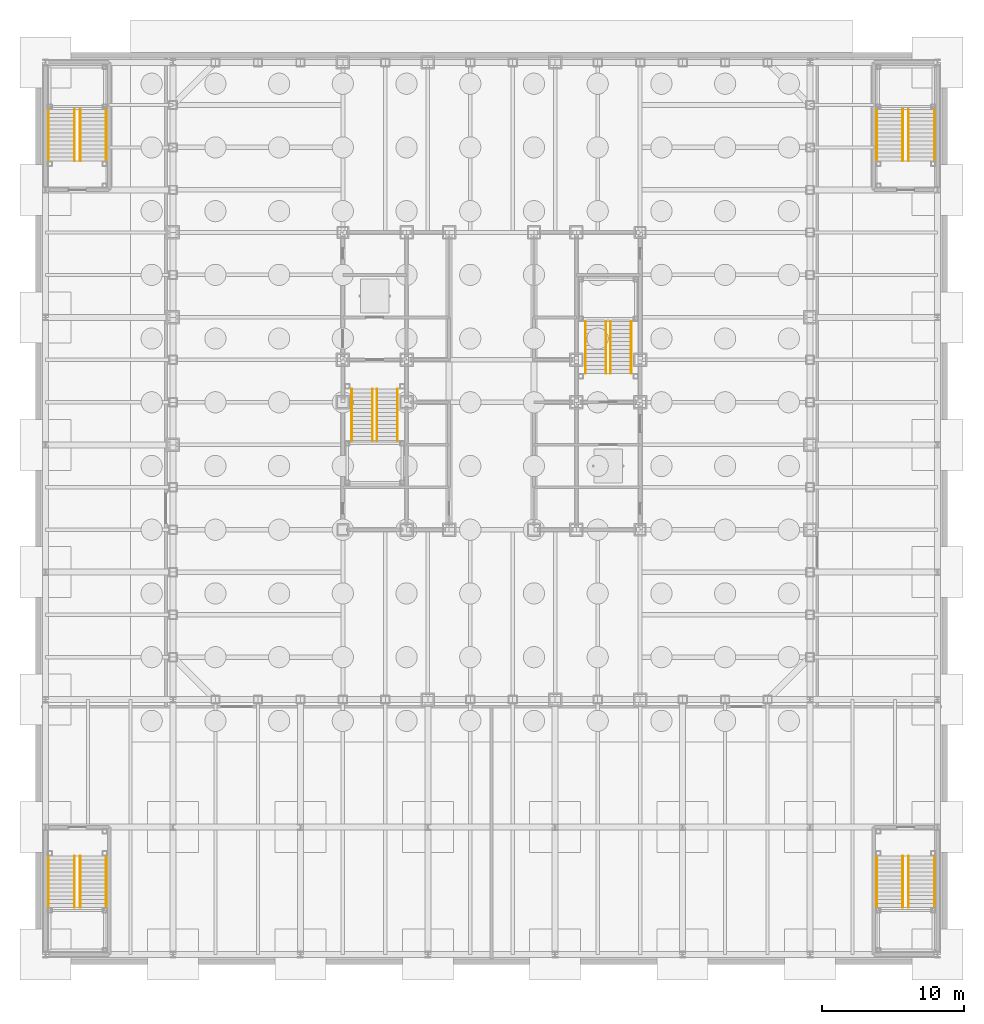
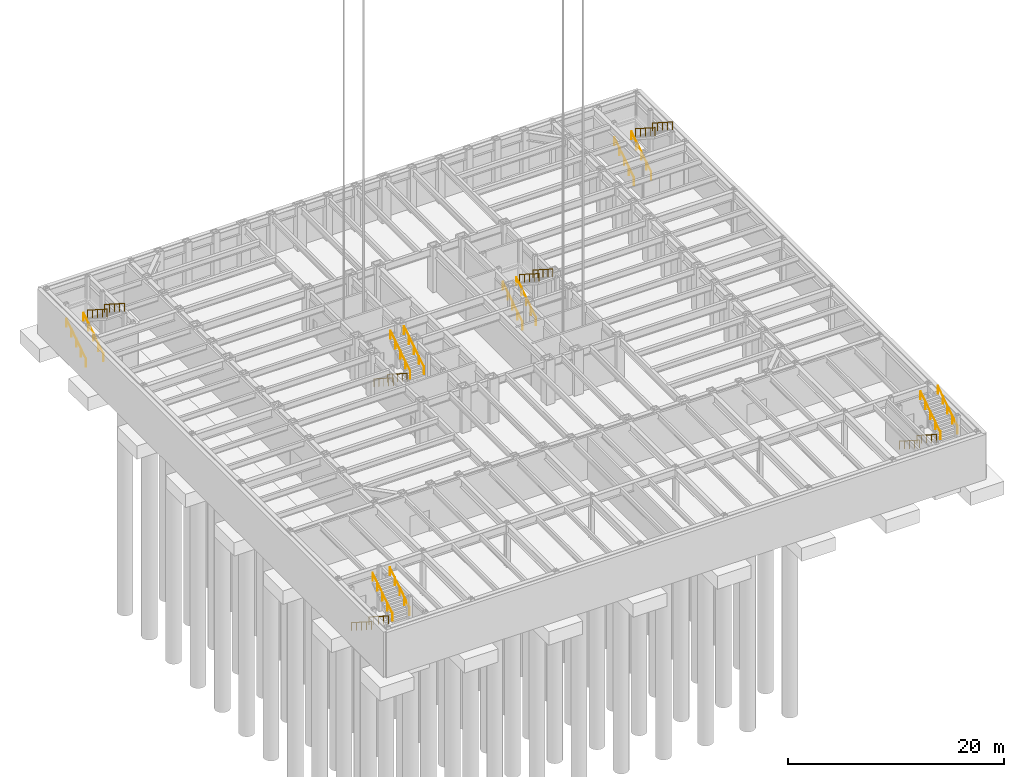
# One storey, part 13 of 18: 24 railings.
"""IFC4 building model written with IfcOpenShell, lengths in metres."""

from ifc_helpers import new_model, si_unit, direction, frame, origin, origin_2d, place, context, subcontext, project, spatial, circle, extrude, material, type_object, element, save


model = new_model("IFC4")

# Units and contexts
model_context = context("Model", 3, precision=1e-05, world=origin(), true_north=direction((0.0, 1.0)))
body_context = subcontext(model_context, "Body", "Model", "MODEL_VIEW")
ifc_project = project(units=[si_unit("LENGTHUNIT", "METRE"), si_unit("AREAUNIT", "SQUARE_METRE"), si_unit("VOLUMEUNIT", "CUBIC_METRE"), si_unit("PLANEANGLEUNIT", "RADIAN"), si_unit("MASSUNIT", "GRAM", prefix="KILO")], contexts=[model_context])

# Site, building, storey
site_placement = place(None, origin())
site = spatial("IfcSite", under=ifc_project, at=site_placement, CompositionType="ELEMENT")
building_placement = place(site_placement, origin())
building = spatial("IfcBuilding", under=site, at=building_placement, Name="Chuquiago Exchange Tower", CompositionType="ELEMENT")
storey_placement = place(building_placement, frame((0.0, 0.0, -5.0)))
storey = spatial("IfcBuildingStorey", under=building, at=storey_placement, Name="B1", CompositionType="ELEMENT", Elevation=-5.0)

# Railings
ifc_material = material(Name="Pale metal handrail", Category="steel")
railing_type = type_object("IfcRailingType", Name="HR1 handrail 900", PredefinedType="HANDRAIL", material=ifc_material)
for number, where, name in (
    (1, (12.635009765625, 21.949951171875, 0.1787109375), "Handrail ST1 B1 flight 1"),
    (2, (14.0849609375, 21.949951171875, 0.1787109375), "Handrail ST1 B1 flight 1"),
):
    element("IfcRailing", number, at=place(storey_placement, frame(where)), inside=storey, type_object=railing_type, Name=name, PredefinedType="HANDRAIL", context=body_context, shape_type="SweptSolid", body=[
        extrude(circle(Radius=0.02392578125, at=origin_2d()), frame((0.0, 0.0, 0.8759765625), z_axis=(0.0, -0.843137146238, 0.537698570422), x_axis=(1.0, 0.0, 0.0)), (0.0, 0.0, 1.0), 4.317138671875),
        extrude(circle(Radius=0.02099609375, at=origin_2d()), origin(), (0.0, 0.0, 1.0), 0.851806640625),
        extrude(circle(Radius=0.02099609375, at=origin_2d()), frame((0.0, -0.909912109375, 0.580322265625)), (0.0, 0.0, 1.0), 0.851806640625),
        extrude(circle(Radius=0.02099609375, at=origin_2d()), frame((0.0, -1.81982421875, 1.16064453125)), (0.0, 0.0, 1.0), 0.851806640625),
        extrude(circle(Radius=0.02099609375, at=origin_2d()), frame((0.0, -2.72998046875, 1.740966796875)), (0.0, 0.0, 1.0), 0.851806640625),
        extrude(circle(Radius=0.02099609375, at=origin_2d()), frame((0.0, -3.639892578125, 2.3212890625)), (0.0, 0.0, 1.0), 0.851806640625),
    ])
for number, where, name in (
    (3, (15.864990234375, 18.31005859375, 2.6787109375), "Handrail ST1 B1 flight 2"),
    (4, (14.4150390625, 18.31005859375, 2.6787109375), "Handrail ST1 B1 flight 2"),
    (5, (30.5849609375, 23.050048828125, 0.1787109375), "Handrail ST2 B1 flight 1"),
    (6, (29.135009765625, 23.050048828125, 0.1787109375), "Handrail ST2 B1 flight 1"),
):
    element("IfcRailing", number, at=place(storey_placement, frame(where)), inside=storey, type_object=railing_type, Name=name, PredefinedType="HANDRAIL", context=body_context, shape_type="SweptSolid", body=[
        extrude(circle(Radius=0.02392578125, at=origin_2d()), frame((0.0, 0.0, 0.8759765625), z_axis=(0.0, 0.843137146238, 0.537698570422), x_axis=(-1.0, 0.0, 0.0)), (0.0, 0.0, 1.0), 4.317138671875),
        extrude(circle(Radius=0.02099609375, at=origin_2d()), origin(), (0.0, 0.0, 1.0), 0.851806640625),
        extrude(circle(Radius=0.02099609375, at=origin_2d()), frame((0.0, 0.909912109375, 0.580322265625)), (0.0, 0.0, 1.0), 0.851806640625),
        extrude(circle(Radius=0.02099609375, at=origin_2d()), frame((0.0, 1.81982421875, 1.16064453125)), (0.0, 0.0, 1.0), 0.851806640625),
        extrude(circle(Radius=0.02099609375, at=origin_2d()), frame((0.0, 2.72998046875, 1.740966796875)), (0.0, 0.0, 1.0), 0.851806640625),
        extrude(circle(Radius=0.02099609375, at=origin_2d()), frame((0.0, 3.639892578125, 2.3212890625)), (0.0, 0.0, 1.0), 0.851806640625),
    ])
for number, where, name in (
    (7, (30.9150390625, 26.68994140625, 2.6787109375), "Handrail ST2 B1 flight 2"),
    (8, (32.364990234375, 26.68994140625, 2.6787109375), "Handrail ST2 B1 flight 2"),
    (9, (-8.7900390625, -11.050048828125, 0.1787109375), "Handrail PS1 B1 flight 1"),
    (10, (-6.9599609375, -11.050048828125, 0.1787109375), "Handrail PS1 B1 flight 1"),
):
    element("IfcRailing", number, at=place(storey_placement, frame(where)), inside=storey, type_object=railing_type, Name=name, PredefinedType="HANDRAIL", context=body_context, shape_type="SweptSolid", body=[
        extrude(circle(Radius=0.02392578125, at=origin_2d()), frame((0.0, 0.0, 0.8759765625), z_axis=(0.0, -0.843137146238, 0.537698570422), x_axis=(1.0, 0.0, 0.0)), (0.0, 0.0, 1.0), 4.317138671875),
        extrude(circle(Radius=0.02099609375, at=origin_2d()), origin(), (0.0, 0.0, 1.0), 0.851806640625),
        extrude(circle(Radius=0.02099609375, at=origin_2d()), frame((0.0, -0.909912109375, 0.580322265625)), (0.0, 0.0, 1.0), 0.851806640625),
        extrude(circle(Radius=0.02099609375, at=origin_2d()), frame((0.0, -1.81982421875, 1.16064453125)), (0.0, 0.0, 1.0), 0.851806640625),
        extrude(circle(Radius=0.02099609375, at=origin_2d()), frame((0.0, -2.72998046875, 1.740966796875)), (0.0, 0.0, 1.0), 0.851806640625),
        extrude(circle(Radius=0.02099609375, at=origin_2d()), frame((0.0, -3.639892578125, 2.3212890625)), (0.0, 0.0, 1.0), 0.851806640625),
    ])
for number, where, name in (
    (11, (-4.7099609375, -14.68994140625, 2.6787109375), "Handrail PS1 B1 flight 2"),
    (12, (-6.5400390625, -14.68994140625, 2.6787109375), "Handrail PS1 B1 flight 2"),
):
    element("IfcRailing", number, at=place(storey_placement, frame(where)), inside=storey, type_object=railing_type, Name=name, PredefinedType="HANDRAIL", context=body_context, shape_type="SweptSolid", body=[
        extrude(circle(Radius=0.02392578125, at=origin_2d()), frame((0.0, 0.0, 0.8759765625), z_axis=(0.0, 0.843137146238, 0.537698570422), x_axis=(-1.0, 0.0, 0.0)), (0.0, 0.0, 1.0), 4.317138671875),
        extrude(circle(Radius=0.02099609375, at=origin_2d()), origin(), (0.0, 0.0, 1.0), 0.851806640625),
        extrude(circle(Radius=0.02099609375, at=origin_2d()), frame((0.0, 0.909912109375, 0.580322265625)), (0.0, 0.0, 1.0), 0.851806640625),
        extrude(circle(Radius=0.02099609375, at=origin_2d()), frame((0.0, 1.81982421875, 1.16064453125)), (0.0, 0.0, 1.0), 0.851806640625),
        extrude(circle(Radius=0.02099609375, at=origin_2d()), frame((0.0, 2.72998046875, 1.740966796875)), (0.0, 0.0, 1.0), 0.851806640625),
        extrude(circle(Radius=0.02099609375, at=origin_2d()), frame((0.0, 3.639892578125, 2.3212890625)), (0.0, 0.0, 1.0), 0.851806640625),
    ])
for number, where, name in (
    (13, (49.7099609375, -11.050048828125, 0.1787109375), "Handrail PS2 B1 flight 1"),
    (14, (51.5400390625, -11.050048828125, 0.1787109375), "Handrail PS2 B1 flight 1"),
):
    element("IfcRailing", number, at=place(storey_placement, frame(where)), inside=storey, type_object=railing_type, Name=name, PredefinedType="HANDRAIL", context=body_context, shape_type="SweptSolid", body=[
        extrude(circle(Radius=0.02392578125, at=origin_2d()), frame((0.0, 0.0, 0.8759765625), z_axis=(0.0, -0.843137146238, 0.537698570422), x_axis=(1.0, 0.0, 0.0)), (0.0, 0.0, 1.0), 4.317138671875),
        extrude(circle(Radius=0.02099609375, at=origin_2d()), origin(), (0.0, 0.0, 1.0), 0.851806640625),
        extrude(circle(Radius=0.02099609375, at=origin_2d()), frame((0.0, -0.909912109375, 0.580322265625)), (0.0, 0.0, 1.0), 0.851806640625),
        extrude(circle(Radius=0.02099609375, at=origin_2d()), frame((0.0, -1.81982421875, 1.16064453125)), (0.0, 0.0, 1.0), 0.851806640625),
        extrude(circle(Radius=0.02099609375, at=origin_2d()), frame((0.0, -2.72998046875, 1.740966796875)), (0.0, 0.0, 1.0), 0.851806640625),
        extrude(circle(Radius=0.02099609375, at=origin_2d()), frame((0.0, -3.639892578125, 2.3212890625)), (0.0, 0.0, 1.0), 0.851806640625),
    ])
for number, where, name in (
    (15, (53.7900390625, -14.68994140625, 2.6787109375), "Handrail PS2 B1 flight 2"),
    (16, (51.9599609375, -14.68994140625, 2.6787109375), "Handrail PS2 B1 flight 2"),
    (17, (-6.9599609375, 38.050048828125, 0.1787109375), "Handrail PS3 B1 flight 1"),
    (18, (-8.7900390625, 38.050048828125, 0.1787109375), "Handrail PS3 B1 flight 1"),
):
    element("IfcRailing", number, at=place(storey_placement, frame(where)), inside=storey, type_object=railing_type, Name=name, PredefinedType="HANDRAIL", context=body_context, shape_type="SweptSolid", body=[
        extrude(circle(Radius=0.02392578125, at=origin_2d()), frame((0.0, 0.0, 0.8759765625), z_axis=(0.0, 0.843137146238, 0.537698570422), x_axis=(-1.0, 0.0, 0.0)), (0.0, 0.0, 1.0), 4.317138671875),
        extrude(circle(Radius=0.02099609375, at=origin_2d()), origin(), (0.0, 0.0, 1.0), 0.851806640625),
        extrude(circle(Radius=0.02099609375, at=origin_2d()), frame((0.0, 0.909912109375, 0.580322265625)), (0.0, 0.0, 1.0), 0.851806640625),
        extrude(circle(Radius=0.02099609375, at=origin_2d()), frame((0.0, 1.81982421875, 1.16064453125)), (0.0, 0.0, 1.0), 0.851806640625),
        extrude(circle(Radius=0.02099609375, at=origin_2d()), frame((0.0, 2.72998046875, 1.740966796875)), (0.0, 0.0, 1.0), 0.851806640625),
        extrude(circle(Radius=0.02099609375, at=origin_2d()), frame((0.0, 3.639892578125, 2.3212890625)), (0.0, 0.0, 1.0), 0.851806640625),
    ])
for number, where, name in (
    (19, (-6.5400390625, 41.68994140625, 2.6787109375), "Handrail PS3 B1 flight 2"),
    (20, (-4.7099609375, 41.68994140625, 2.6787109375), "Handrail PS3 B1 flight 2"),
):
    element("IfcRailing", number, at=place(storey_placement, frame(where)), inside=storey, type_object=railing_type, Name=name, PredefinedType="HANDRAIL", context=body_context, shape_type="SweptSolid", body=[
        extrude(circle(Radius=0.02392578125, at=origin_2d()), frame((0.0, 0.0, 0.8759765625), z_axis=(0.0, -0.843137146238, 0.537698570422), x_axis=(1.0, 0.0, 0.0)), (0.0, 0.0, 1.0), 4.317138671875),
        extrude(circle(Radius=0.02099609375, at=origin_2d()), origin(), (0.0, 0.0, 1.0), 0.851806640625),
        extrude(circle(Radius=0.02099609375, at=origin_2d()), frame((0.0, -0.909912109375, 0.580322265625)), (0.0, 0.0, 1.0), 0.851806640625),
        extrude(circle(Radius=0.02099609375, at=origin_2d()), frame((0.0, -1.81982421875, 1.16064453125)), (0.0, 0.0, 1.0), 0.851806640625),
        extrude(circle(Radius=0.02099609375, at=origin_2d()), frame((0.0, -2.72998046875, 1.740966796875)), (0.0, 0.0, 1.0), 0.851806640625),
        extrude(circle(Radius=0.02099609375, at=origin_2d()), frame((0.0, -3.639892578125, 2.3212890625)), (0.0, 0.0, 1.0), 0.851806640625),
    ])
for number, where, name in (
    (21, (51.5400390625, 38.050048828125, 0.1787109375), "Handrail PS4 B1 flight 1"),
    (22, (49.7099609375, 38.050048828125, 0.1787109375), "Handrail PS4 B1 flight 1"),
):
    element("IfcRailing", number, at=place(storey_placement, frame(where)), inside=storey, type_object=railing_type, Name=name, PredefinedType="HANDRAIL", context=body_context, shape_type="SweptSolid", body=[
        extrude(circle(Radius=0.02392578125, at=origin_2d()), frame((0.0, 0.0, 0.8759765625), z_axis=(0.0, 0.843137146238, 0.537698570422), x_axis=(-1.0, 0.0, 0.0)), (0.0, 0.0, 1.0), 4.317138671875),
        extrude(circle(Radius=0.02099609375, at=origin_2d()), origin(), (0.0, 0.0, 1.0), 0.851806640625),
        extrude(circle(Radius=0.02099609375, at=origin_2d()), frame((0.0, 0.909912109375, 0.580322265625)), (0.0, 0.0, 1.0), 0.851806640625),
        extrude(circle(Radius=0.02099609375, at=origin_2d()), frame((0.0, 1.81982421875, 1.16064453125)), (0.0, 0.0, 1.0), 0.851806640625),
        extrude(circle(Radius=0.02099609375, at=origin_2d()), frame((0.0, 2.72998046875, 1.740966796875)), (0.0, 0.0, 1.0), 0.851806640625),
        extrude(circle(Radius=0.02099609375, at=origin_2d()), frame((0.0, 3.639892578125, 2.3212890625)), (0.0, 0.0, 1.0), 0.851806640625),
    ])
for number, where, name in (
    (23, (51.9599609375, 41.68994140625, 2.6787109375), "Handrail PS4 B1 flight 2"),
    (24, (53.7900390625, 41.68994140625, 2.6787109375), "Handrail PS4 B1 flight 2"),
):
    element("IfcRailing", number, at=place(storey_placement, frame(where)), inside=storey, type_object=railing_type, Name=name, PredefinedType="HANDRAIL", context=body_context, shape_type="SweptSolid", body=[
        extrude(circle(Radius=0.02392578125, at=origin_2d()), frame((0.0, 0.0, 0.8759765625), z_axis=(0.0, -0.843137146238, 0.537698570422), x_axis=(1.0, 0.0, 0.0)), (0.0, 0.0, 1.0), 4.317138671875),
        extrude(circle(Radius=0.02099609375, at=origin_2d()), origin(), (0.0, 0.0, 1.0), 0.851806640625),
        extrude(circle(Radius=0.02099609375, at=origin_2d()), frame((0.0, -0.909912109375, 0.580322265625)), (0.0, 0.0, 1.0), 0.851806640625),
        extrude(circle(Radius=0.02099609375, at=origin_2d()), frame((0.0, -1.81982421875, 1.16064453125)), (0.0, 0.0, 1.0), 0.851806640625),
        extrude(circle(Radius=0.02099609375, at=origin_2d()), frame((0.0, -2.72998046875, 1.740966796875)), (0.0, 0.0, 1.0), 0.851806640625),
        extrude(circle(Radius=0.02099609375, at=origin_2d()), frame((0.0, -3.639892578125, 2.3212890625)), (0.0, 0.0, 1.0), 0.851806640625),
    ])

save(model, "model.ifc")
